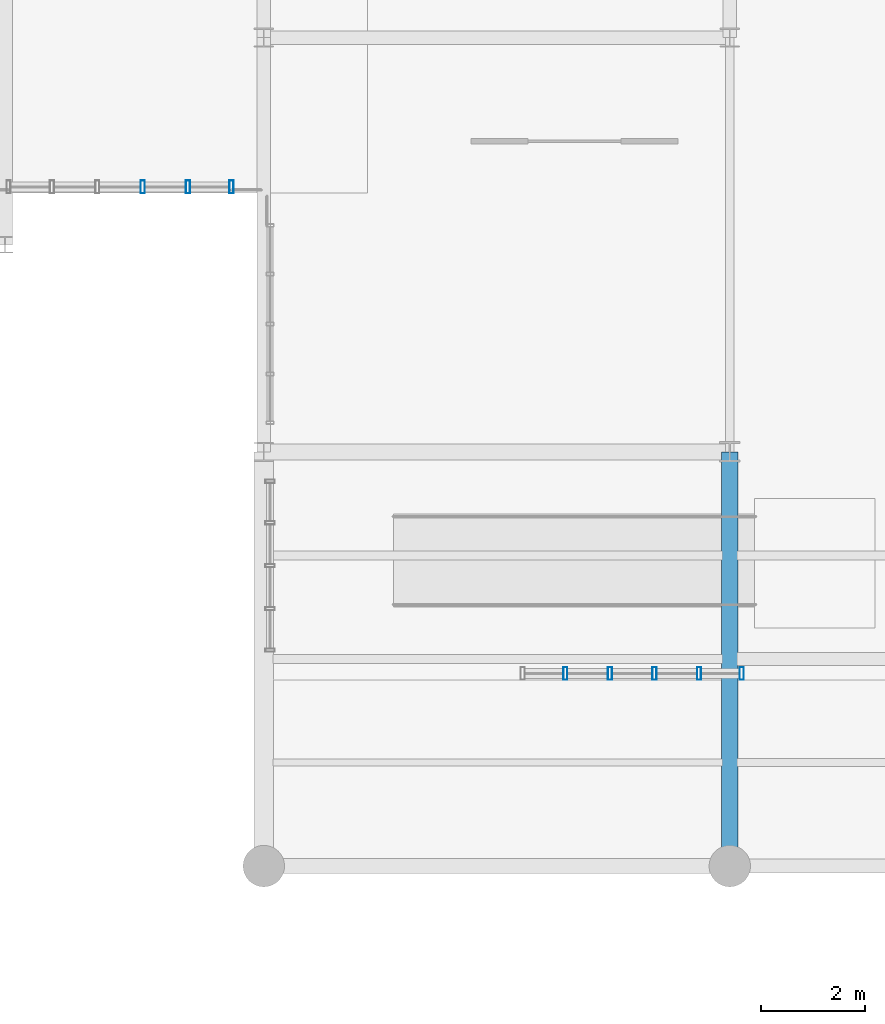
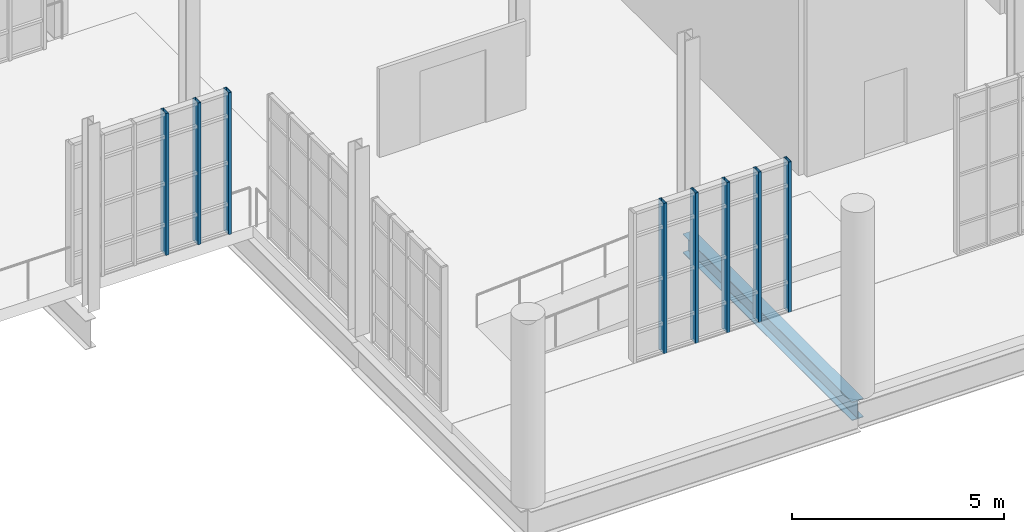
# One storey, part 50 of 189: 8 members, 1 beam, 2 elements without a shape of their own.
"""IFC4 building model written with IfcOpenShell, lengths in metres."""

from ifc_helpers import new_model, si_unit, direction, frame, origin, origin_2d, place, context, subcontext, project, spatial, hollow_rectangle, i_section, extrude, material, layer, layer_set, material_profile, profile_set, type_object, element, aggregate, save


model = new_model("IFC4")

# Units and contexts
model_context = context("Model", 3, precision=1e-05, world=origin(), true_north=direction((0.0, 1.0)))
body_context = subcontext(model_context, "Body", "Model", "MODEL_VIEW")
ifc_project = project(units=[si_unit("LENGTHUNIT", "METRE"), si_unit("AREAUNIT", "SQUARE_METRE"), si_unit("VOLUMEUNIT", "CUBIC_METRE"), si_unit("PLANEANGLEUNIT", "RADIAN"), si_unit("MASSUNIT", "GRAM", prefix="KILO"), si_unit("THERMODYNAMICTEMPERATUREUNIT", "KELVIN"), si_unit("POWERUNIT", "WATT")], contexts=[model_context])

# Site, building, storey
site_placement = place(None, origin())
site = spatial("IfcSite", under=ifc_project, at=site_placement, CompositionType="ELEMENT")
building_placement = place(site_placement, origin())
building = spatial("IfcBuilding", under=site, at=building_placement, Name="Zelmaris Science Centre", CompositionType="ELEMENT")
storey_placement = place(building_placement, origin())
storey = spatial("IfcBuildingStorey", under=building, at=storey_placement, Name="L00", CompositionType="ELEMENT", Elevation=0.0)

# Curtain wall, members
ifc_material_1 = material(Name="Anodised architectural aluminium 6063-T6", Category="aluminium")
ifc_layer = layer(ifc_material_1, 0.18994140625, Name="Anodised architectural aluminium 6063-T6")
ifc_layer_set = layer_set([ifc_layer], Name="Anodised architectural aluminium 6063-T6")
curtain_wall_type = type_object("IfcCurtainWallType", Name="Curtain Wall CW-01", PredefinedType="USERDEFINED", material=ifc_layer_set)
curtain_wall_1_placement = place(storey_placement, origin())
curtain_wall_1 = element("IfcCurtainWall", 1, at=curtain_wall_1_placement, inside=storey, type_object=curtain_wall_type, Name="L00 Unitised curtain wall 109", ObjectType="GLAZED CURTAIN WALL", PredefinedType="USERDEFINED")
ifc_material_profile_1 = material_profile(ifc_material_1, hollow_rectangle(XDim=0.080078125, YDim=0.25, WallThickness=0.0048828125, at=origin_2d()), Name="ALU-MUL-80X250")
ifc_profile_set_1 = profile_set([ifc_material_profile_1], Name="Anodised architectural aluminium 6063-T6")
member_type = type_object("IfcMemberType", Name="ALU-MUL-80X250", PredefinedType="MULLION", material=ifc_profile_set_1)
member_1_placement = place(storey_placement, frame((117.231689453125, 11.72021484375, -0.014892578125), z_axis=(0.0, 0.0, 1.0), x_axis=(-1.0, 0.0, 0.0)))
member_1 = element("IfcMember", 2, at=member_1_placement, type_object=member_type, Name="CW-01 mullion 1", PredefinedType="MULLION", context=body_context, shape_type="SweptSolid", body=[
    extrude(hollow_rectangle(XDim=0.080078125, YDim=0.25, WallThickness=0.0048828125, at=origin_2d()), origin(), (0.0, 0.0, 1.0), 4.337890625),
])
member_2_placement = place(storey_placement, frame((116.40673828125, 11.72021484375, -0.014892578125), z_axis=(0.0, 0.0, 1.0), x_axis=(-1.0, 0.0, 0.0)))
member_2 = element("IfcMember", 3, at=member_2_placement, type_object=member_type, Name="CW-01 mullion 2", PredefinedType="MULLION", context=body_context, shape_type="SweptSolid", body=[
    extrude(hollow_rectangle(XDim=0.080078125, YDim=0.25, WallThickness=0.0048828125, at=origin_2d()), origin(), (0.0, 0.0, 1.0), 4.337890625),
])
member_3_placement = place(storey_placement, frame((115.546142578125, 11.72021484375, -0.014892578125), z_axis=(0.0, 0.0, 1.0), x_axis=(-1.0, 0.0, 0.0)))
member_3 = element("IfcMember", 4, at=member_3_placement, type_object=member_type, Name="CW-01 mullion 3", PredefinedType="MULLION", context=body_context, shape_type="SweptSolid", body=[
    extrude(hollow_rectangle(XDim=0.080078125, YDim=0.25, WallThickness=0.0048828125, at=origin_2d()), origin(), (0.0, 0.0, 1.0), 4.337890625),
])
member_4_placement = place(storey_placement, frame((114.685302734375, 11.72021484375, -0.014892578125), z_axis=(0.0, 0.0, 1.0), x_axis=(-1.0, 0.0, 0.0)))
member_4 = element("IfcMember", 5, at=member_4_placement, type_object=member_type, Name="CW-01 mullion 4", PredefinedType="MULLION", context=body_context, shape_type="SweptSolid", body=[
    extrude(hollow_rectangle(XDim=0.080078125, YDim=0.25, WallThickness=0.0048828125, at=origin_2d()), origin(), (0.0, 0.0, 1.0), 4.337890625),
])
member_5_placement = place(storey_placement, frame((113.824462890625, 11.72021484375, -0.014892578125), z_axis=(0.0, 0.0, 1.0), x_axis=(-1.0, 0.0, 0.0)))
member_5 = element("IfcMember", 6, at=member_5_placement, type_object=member_type, Name="CW-01 mullion 5", PredefinedType="MULLION", context=body_context, shape_type="SweptSolid", body=[
    extrude(hollow_rectangle(XDim=0.080078125, YDim=0.25, WallThickness=0.0048828125, at=origin_2d()), origin(), (0.0, 0.0, 1.0), 4.337890625),
])
aggregate(curtain_wall_1, [member_1, member_2, member_3, member_4, member_5])

curtain_wall_2_placement = place(storey_placement, origin())
curtain_wall_2 = element("IfcCurtainWall", 7, at=curtain_wall_2_placement, inside=storey, type_object=curtain_wall_type, Name="L00 Unitised curtain wall 113", ObjectType="GLAZED CURTAIN WALL", PredefinedType="USERDEFINED")
member_6_placement = place(storey_placement, frame((107.375732421875, 21.118896484375, -0.014892578125), z_axis=(0.0, 0.0, 1.0), x_axis=(-0.999999996491, 8.3775804e-05, 0.0)))
member_6 = element("IfcMember", 8, at=member_6_placement, type_object=member_type, Name="CW-01 mullion 1", PredefinedType="MULLION", context=body_context, shape_type="SweptSolid", body=[
    extrude(hollow_rectangle(XDim=0.080078125, YDim=0.25, WallThickness=0.0048828125, at=origin_2d()), origin(), (0.0, 0.0, 1.0), 4.0888671875),
])
member_7_placement = place(storey_placement, frame((106.536376953125, 21.118896484375, -0.014892578125), z_axis=(0.0, 0.0, 1.0), x_axis=(-0.999999996491, 8.3775804e-05, 0.0)))
member_7 = element("IfcMember", 9, at=member_7_placement, type_object=member_type, Name="CW-01 mullion 2", PredefinedType="MULLION", context=body_context, shape_type="SweptSolid", body=[
    extrude(hollow_rectangle(XDim=0.080078125, YDim=0.25, WallThickness=0.0048828125, at=origin_2d()), origin(), (0.0, 0.0, 1.0), 4.0888671875),
])
member_8_placement = place(storey_placement, frame((105.660888671875, 21.119140625, -0.014892578125), z_axis=(0.0, 0.0, 1.0), x_axis=(-0.999999996491, 8.3775804e-05, 0.0)))
member_8 = element("IfcMember", 10, at=member_8_placement, type_object=member_type, Name="CW-01 mullion 3", PredefinedType="MULLION", context=body_context, shape_type="SweptSolid", body=[
    extrude(hollow_rectangle(XDim=0.080078125, YDim=0.25, WallThickness=0.0048828125, at=origin_2d()), origin(), (0.0, 0.0, 1.0), 4.0888671875),
])
aggregate(curtain_wall_2, [member_6, member_7, member_8])

# Beam
ifc_material_2 = material(Name="Steel ASTM A992 Grade 50", Category="steel")
ifc_material_profile_2 = material_profile(ifc_material_2, i_section(OverallWidth=0.31201171875, OverallDepth=0.5458984375, WebThickness=0.013916015625, FlangeThickness=0.022216796875, FilletRadius=0.013916015625, at=origin_2d()), Name="W21X111")
ifc_profile_set_2 = profile_set([ifc_material_profile_2], Name="Steel ASTM A992 Grade 50")
beam_type = type_object("IfcBeamType", Name="Beam G-39 W21X111", PredefinedType="BEAM", material=ifc_profile_set_2)
beam_placement = place(storey_placement, frame((117.0, 8.0, -0.56298828125), z_axis=(0.0, 1.0, 0.0), x_axis=(-1.0, 0.0, 0.0)))
element("IfcBeam", 11, at=beam_placement, inside=storey, type_object=beam_type, Name="L00 North-south girder 59", PredefinedType="BEAM", context=body_context, shape_type="SweptSolid", body=[
    extrude(i_section(OverallWidth=0.31201171875, OverallDepth=0.5458984375, WebThickness=0.013916015625, FlangeThickness=0.022216796875, FilletRadius=0.013916015625, at=origin_2d()), origin(), (0.0, 0.0, 1.0), 8.0),
])

save(model, "model.ifc")
